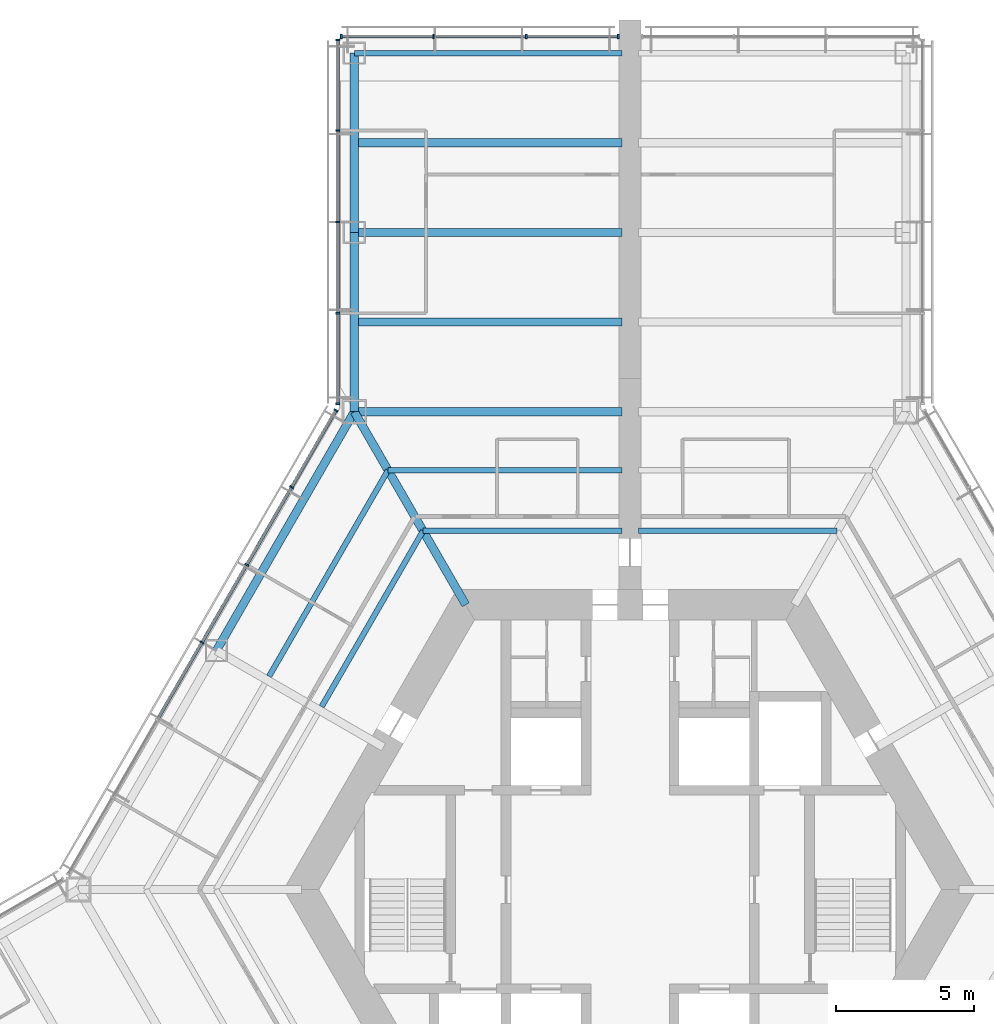
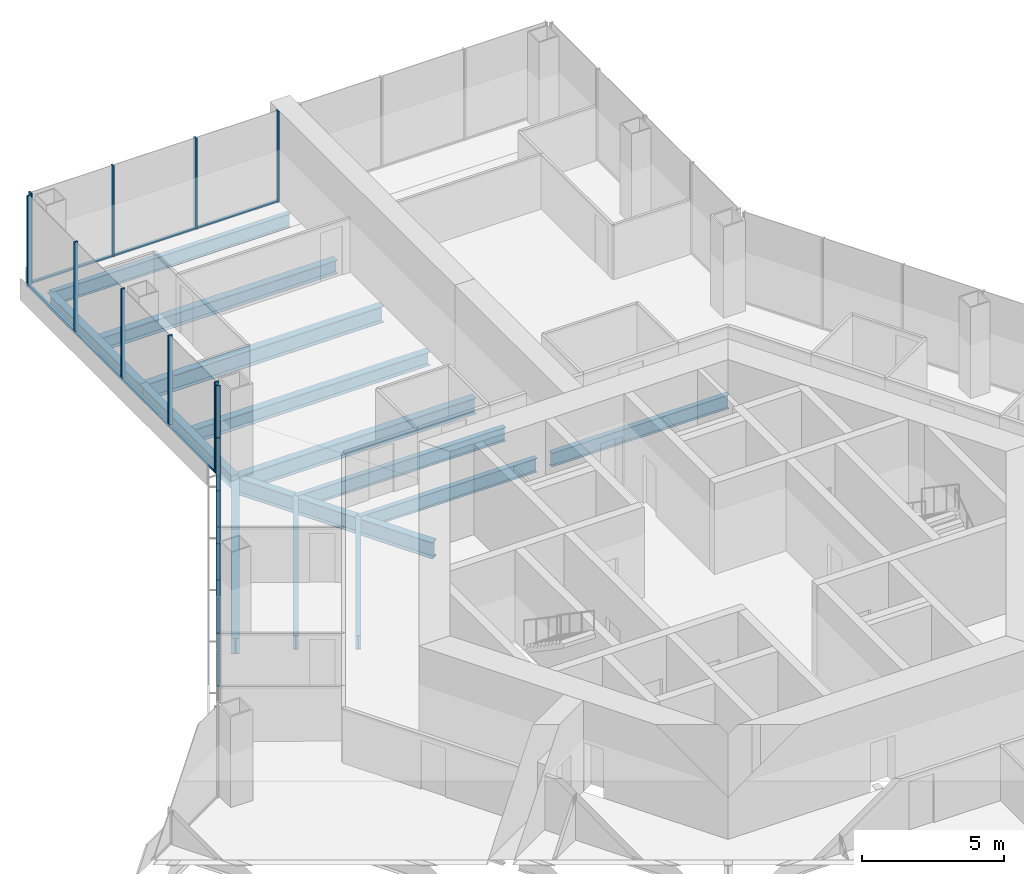
# One storey, part 7 of 18: 24 members, 14 beams, 3 elements without a shape of their own.
"""IFC4 building model written with IfcOpenShell, lengths in metres."""

from ifc_helpers import new_model, si_unit, direction, frame, origin, origin_2d, place, context, subcontext, project, spatial, rectangle, i_section, extrude, material, material_profile, profile_set, type_object, element, aggregate, save


model = new_model("IFC4")

# Units and contexts
model_context = context("Model", 3, precision=1e-05, world=origin(), true_north=direction((0.0, 1.0)))
body_context = subcontext(model_context, "Body", "Model", "MODEL_VIEW")
ifc_project = project(units=[si_unit("LENGTHUNIT", "METRE"), si_unit("AREAUNIT", "SQUARE_METRE"), si_unit("VOLUMEUNIT", "CUBIC_METRE"), si_unit("PLANEANGLEUNIT", "RADIAN"), si_unit("MASSUNIT", "GRAM", prefix="KILO")], contexts=[model_context])

# Site, building, storey
site_placement = place(None, origin())
site = spatial("IfcSite", under=ifc_project, at=site_placement, CompositionType="ELEMENT")
building_placement = place(site_placement, origin())
building = spatial("IfcBuilding", under=site, at=building_placement, Name="Kasaneha Research Tower", CompositionType="ELEMENT")
storey_placement = place(building_placement, frame((0.0, 0.0, 119.699951171875)))
storey = spatial("IfcBuildingStorey", under=building, at=storey_placement, Name="L30", CompositionType="ELEMENT", Elevation=119.699951171875)

# Beams
ifc_material_1 = material(Name="Steel SN490B", Category="steel")
ifc_material_profile_1 = material_profile(ifc_material_1, i_section(OverallWidth=0.199951171875, OverallDepth=0.60009765625, WebThickness=0.010986328125, FlangeThickness=0.01708984375, FilletRadius=0.012939453125, at=origin_2d()), Name="H-600x200x11x17")
ifc_profile_set_1 = profile_set([ifc_material_profile_1], Name="Steel SN490B")
beam_type_1 = type_object("IfcBeamType", Name="B1-3 secondary beam H-600x200x11x17", PredefinedType="JOIST", material=ifc_profile_set_1)
for number, where, z_axis, x_axis, name in (
    (1, (7.505615234375, 13.0, -0.449951171875), (-1.0, 0.0, 0.0), (0.0, -1.0, 0.0), "Secondary beam RS090L1 L30"),
    (2, (-7.505615234375, 13.0, -0.449951171875), (1.0, 0.0, 0.0), (0.0, 1.0, 0.0), "Secondary beam RS090R1 L30"),
):
    element("IfcBeam", number, at=place(storey_placement, frame(where, z_axis=z_axis, x_axis=x_axis)), inside=storey, type_object=beam_type_1, Name=name, PredefinedType="JOIST", context=body_context, shape_type="SweptSolid", body=[
        extrude(i_section(OverallWidth=0.199951171875, OverallDepth=0.60009765625, WebThickness=0.010986328125, FlangeThickness=0.01708984375, FilletRadius=0.012939453125, at=origin_2d()), origin(), (0.0, 0.0, 1.0), 7.20556640625),
    ])
beam_1_placement = place(storey_placement, frame((-8.775634765625, 15.199951171875, -0.449951171875), z_axis=(1.0, 0.0, 0.0), x_axis=(0.0, 1.0, 0.0)))
element("IfcBeam", 3, at=beam_1_placement, inside=storey, type_object=beam_type_1, Name="Secondary beam RS090R2 L30", PredefinedType="JOIST", context=body_context, shape_type="SweptSolid", body=[
    extrude(i_section(OverallWidth=0.199951171875, OverallDepth=0.60009765625, WebThickness=0.010986328125, FlangeThickness=0.01708984375, FilletRadius=0.012939453125, at=origin_2d()), origin(), (0.0, 0.0, 1.0), 8.4755859375),
])
beam_2_placement = place(storey_placement, frame((-7.505615234375, 13.0, -0.449951171875), z_axis=(-0.499994443168, -0.866028611999, 0.0), x_axis=(0.866028611999, -0.499994443168, 0.0)))
element("IfcBeam", 4, at=beam_2_placement, inside=storey, type_object=beam_type_1, Name="Secondary beam RS150L1 L30", PredefinedType="JOIST", context=body_context, shape_type="SweptSolid", body=[
    extrude(i_section(OverallWidth=0.199951171875, OverallDepth=0.60009765625, WebThickness=0.010986328125, FlangeThickness=0.01708984375, FilletRadius=0.012939453125, at=origin_2d()), origin(), (0.0, 0.0, 1.0), 7.35546875),
])
beam_3_placement = place(storey_placement, frame((-8.775634765625, 15.199951171875, -0.449951171875), z_axis=(-0.500017275495, -0.866015429543, 0.0), x_axis=(0.866015429543, -0.500017275495, 0.0)))
element("IfcBeam", 5, at=beam_3_placement, inside=storey, type_object=beam_type_1, Name="Secondary beam RS150L2 L30", PredefinedType="JOIST", context=body_context, shape_type="SweptSolid", body=[
    extrude(i_section(OverallWidth=0.199951171875, OverallDepth=0.60009765625, WebThickness=0.010986328125, FlangeThickness=0.01708984375, FilletRadius=0.012939453125, at=origin_2d()), origin(), (0.0, 0.0, 1.0), 8.625732421875),
])
ifc_material_2 = material(Name="Steel SN490B", Category="steel")
ifc_material_profile_2 = material_profile(ifc_material_2, i_section(OverallWidth=0.300048828125, OverallDepth=0.58203125, WebThickness=0.011962890625, FlangeThickness=0.01708984375, FilletRadius=0.012939453125, at=origin_2d()), Name="H-582x300x12x17")
ifc_profile_set_2 = profile_set([ifc_material_profile_2], Name="Steel SN490B")
beam_type_2 = type_object("IfcBeamType", Name="B2-3 secondary beam H-582x300x12x17", PredefinedType="JOIST", material=ifc_profile_set_2)
for number, where, z_axis, x_axis, name in (
    (6, (-10.0, 20.570556640625, -0.44091796875), (1.0, 0.0, 0.0), (0.0, 1.0, 0.0), "Secondary beam WBAN1 L30"),
    (7, (-10.0, 27.070556640625, -0.44091796875), (1.0, 0.0, 0.0), (0.0, 1.0, 0.0), "Secondary beam WBAN2 L30"),
):
    element("IfcBeam", number, at=place(storey_placement, frame(where, z_axis=z_axis, x_axis=x_axis)), inside=storey, type_object=beam_type_2, Name=name, PredefinedType="JOIST", context=body_context, shape_type="SweptSolid", body=[
        extrude(i_section(OverallWidth=0.300048828125, OverallDepth=0.58203125, WebThickness=0.011962890625, FlangeThickness=0.01708984375, FilletRadius=0.012939453125, at=origin_2d()), origin(), (0.0, 0.0, 1.0), 9.699951171875),
    ])

# Curtain wall, members
ifc_material_3 = material(Name="Glass and aluminium", Category="aluminium")
curtain_wall_type = type_object("IfcCurtainWallType", Name="Low-rise office curtain wall", PredefinedType="USERDEFINED", material=ifc_material_3)
curtain_wall_1_placement = place(storey_placement, origin())
curtain_wall_1 = element("IfcCurtainWall", 8, at=curtain_wall_1_placement, inside=storey, type_object=curtain_wall_type, Name="CW-O1 L30 run 10a", ObjectType="UNITISED CURTAIN WALL", PredefinedType="USERDEFINED")
ifc_material_4 = material(Name="Aluminium 6063-T6", Category="aluminium")
ifc_material_profile_3 = material_profile(ifc_material_4, rectangle(XDim=0.06005859375, YDim=0.159912109375, at=origin_2d()), Name="CW-O1 mullion 60x160")
ifc_profile_set_3 = profile_set([ifc_material_profile_3], Name="Aluminium 6063-T6")
member_type_1 = type_object("IfcMemberType", Name="CW-O1 mullion", PredefinedType="MULLION", material=ifc_profile_set_3)
member_1_placement = place(storey_placement, frame((-0.429931640625, 30.92041015625, 0.0), z_axis=(0.0, 0.0, 1.0), x_axis=(-1.0, 0.0, 0.0)))
member_1 = element("IfcMember", 9, at=member_1_placement, type_object=member_type_1, Name="CW-O1 mullion 1", PredefinedType="MULLION", context=body_context, shape_type="SweptSolid", body=[
    extrude(rectangle(XDim=0.06005859375, YDim=0.159912109375, at=origin_2d()), origin(), (0.0, 0.0, 1.0), 3.900146484375),
])
member_2_placement = place(storey_placement, frame((-3.7666015625, 30.92041015625, 0.0), z_axis=(0.0, 0.0, 1.0), x_axis=(-1.0, 0.0, 0.0)))
member_2 = element("IfcMember", 10, at=member_2_placement, type_object=member_type_1, Name="CW-O1 mullion 2", PredefinedType="MULLION", context=body_context, shape_type="SweptSolid", body=[
    extrude(rectangle(XDim=0.06005859375, YDim=0.159912109375, at=origin_2d()), origin(), (0.0, 0.0, 1.0), 3.900146484375),
])
member_3_placement = place(storey_placement, frame((-7.13330078125, 30.92041015625, 0.0), z_axis=(0.0, 0.0, 1.0), x_axis=(-1.0, 0.0, 0.0)))
member_3 = element("IfcMember", 11, at=member_3_placement, type_object=member_type_1, Name="CW-O1 mullion 3", PredefinedType="MULLION", context=body_context, shape_type="SweptSolid", body=[
    extrude(rectangle(XDim=0.06005859375, YDim=0.159912109375, at=origin_2d()), origin(), (0.0, 0.0, 1.0), 3.900146484375),
])
member_4_placement = place(storey_placement, frame((-10.469970703125, 30.92041015625, 0.0), z_axis=(0.0, 0.0, 1.0), x_axis=(-1.0, 0.0, 0.0)))
member_4 = element("IfcMember", 12, at=member_4_placement, type_object=member_type_1, Name="CW-O1 mullion 4", PredefinedType="MULLION", context=body_context, shape_type="SweptSolid", body=[
    extrude(rectangle(XDim=0.06005859375, YDim=0.159912109375, at=origin_2d()), origin(), (0.0, 0.0, 1.0), 3.900146484375),
])

curtain_wall_2_placement = place(storey_placement, origin())
curtain_wall_2 = element("IfcCurtainWall", 13, at=curtain_wall_2_placement, inside=storey, type_object=curtain_wall_type, Name="CW-O1 L30 run 11a", ObjectType="UNITISED CURTAIN WALL", PredefinedType="USERDEFINED")
member_5_placement = place(storey_placement, frame((-10.60009765625, 30.79052734375, 0.0), z_axis=(0.0, 0.0, 1.0), x_axis=(0.0, -1.0, 0.0)))
member_5 = element("IfcMember", 14, at=member_5_placement, type_object=member_type_1, Name="CW-O1 mullion 1", PredefinedType="MULLION", context=body_context, shape_type="SweptSolid", body=[
    extrude(rectangle(XDim=0.06005859375, YDim=0.159912109375, at=origin_2d()), origin(), (0.0, 0.0, 1.0), 3.900146484375),
])
member_6_placement = place(storey_placement, frame((-10.60009765625, 27.5107421875, 0.0), z_axis=(0.0, 0.0, 1.0), x_axis=(0.0, -1.0, 0.0)))
member_6 = element("IfcMember", 15, at=member_6_placement, type_object=member_type_1, Name="CW-O1 mullion 2", PredefinedType="MULLION", context=body_context, shape_type="SweptSolid", body=[
    extrude(rectangle(XDim=0.06005859375, YDim=0.159912109375, at=origin_2d()), origin(), (0.0, 0.0, 1.0), 3.900146484375),
])
member_7_placement = place(storey_placement, frame((-10.60009765625, 24.200927734375, 0.0), z_axis=(0.0, 0.0, 1.0), x_axis=(0.0, -1.0, 0.0)))
member_7 = element("IfcMember", 16, at=member_7_placement, type_object=member_type_1, Name="CW-O1 mullion 3", PredefinedType="MULLION", context=body_context, shape_type="SweptSolid", body=[
    extrude(rectangle(XDim=0.06005859375, YDim=0.159912109375, at=origin_2d()), origin(), (0.0, 0.0, 1.0), 3.900146484375),
])
member_8_placement = place(storey_placement, frame((-10.60009765625, 20.89111328125, 0.0), z_axis=(0.0, 0.0, 1.0), x_axis=(0.0, -1.0, 0.0)))
member_8 = element("IfcMember", 17, at=member_8_placement, type_object=member_type_1, Name="CW-O1 mullion 4", PredefinedType="MULLION", context=body_context, shape_type="SweptSolid", body=[
    extrude(rectangle(XDim=0.06005859375, YDim=0.159912109375, at=origin_2d()), origin(), (0.0, 0.0, 1.0), 3.900146484375),
])
member_9_placement = place(storey_placement, frame((-10.60009765625, 17.611328125, 0.0), z_axis=(0.0, 0.0, 1.0), x_axis=(0.0, -1.0, 0.0)))
member_9 = element("IfcMember", 18, at=member_9_placement, type_object=member_type_1, Name="CW-O1 mullion 5", PredefinedType="MULLION", context=body_context, shape_type="SweptSolid", body=[
    extrude(rectangle(XDim=0.06005859375, YDim=0.159912109375, at=origin_2d()), origin(), (0.0, 0.0, 1.0), 3.900146484375),
])

curtain_wall_3_placement = place(storey_placement, origin())
curtain_wall_3 = element("IfcCurtainWall", 19, at=curtain_wall_3_placement, inside=storey, type_object=curtain_wall_type, Name="CW-O1 L30 run 12a", ObjectType="UNITISED CURTAIN WALL", PredefinedType="USERDEFINED")
member_10_placement = place(storey_placement, frame((-10.6650390625, 17.36865234375, 0.0), z_axis=(0.0, 0.0, 1.0), x_axis=(-0.49999996188, -0.866025425793, 0.0)))
member_10 = element("IfcMember", 20, at=member_10_placement, type_object=member_type_1, Name="CW-O1 mullion 1", PredefinedType="MULLION", context=body_context, shape_type="SweptSolid", body=[
    extrude(rectangle(XDim=0.06005859375, YDim=0.159912109375, at=origin_2d()), origin(), (0.0, 0.0, 1.0), 3.900146484375),
])
member_11_placement = place(storey_placement, frame((-12.273193359375, 14.583251953125, 0.0), z_axis=(0.0, 0.0, 1.0), x_axis=(-0.49999996188, -0.866025425793, 0.0)))
member_11 = element("IfcMember", 21, at=member_11_placement, type_object=member_type_1, Name="CW-O1 mullion 2", PredefinedType="MULLION", context=body_context, shape_type="SweptSolid", body=[
    extrude(rectangle(XDim=0.06005859375, YDim=0.159912109375, at=origin_2d()), origin(), (0.0, 0.0, 1.0), 3.900146484375),
])
member_12_placement = place(storey_placement, frame((-13.896484375, 11.771728515625, 0.0), z_axis=(0.0, 0.0, 1.0), x_axis=(-0.49999996188, -0.866025425793, 0.0)))
member_12 = element("IfcMember", 22, at=member_12_placement, type_object=member_type_1, Name="CW-O1 mullion 3", PredefinedType="MULLION", context=body_context, shape_type="SweptSolid", body=[
    extrude(rectangle(XDim=0.06005859375, YDim=0.159912109375, at=origin_2d()), origin(), (0.0, 0.0, 1.0), 3.900146484375),
])
member_13_placement = place(storey_placement, frame((-15.51953125, 8.960205078125, 0.0), z_axis=(0.0, 0.0, 1.0), x_axis=(-0.49999996188, -0.866025425793, 0.0)))
member_13 = element("IfcMember", 23, at=member_13_placement, type_object=member_type_1, Name="CW-O1 mullion 4", PredefinedType="MULLION", context=body_context, shape_type="SweptSolid", body=[
    extrude(rectangle(XDim=0.06005859375, YDim=0.159912109375, at=origin_2d()), origin(), (0.0, 0.0, 1.0), 3.900146484375),
])

# Member
ifc_material_5 = material(Name="Aluminium 6063-T6", Category="aluminium")
ifc_material_profile_4 = material_profile(ifc_material_5, rectangle(XDim=0.1201171875, YDim=0.06005859375, at=origin_2d()), Name="CW-O1 transom 120x60")
ifc_profile_set_4 = profile_set([ifc_material_profile_4], Name="Aluminium 6063-T6")
member_type_2 = type_object("IfcMemberType", Name="CW-O1 transom", PredefinedType="USERDEFINED", material=ifc_profile_set_4)
member_14_placement = place(storey_placement, frame((-0.4599609375, 30.92041015625, 0.030029296875), z_axis=(-1.0, 0.0, 0.0), x_axis=(0.0, -1.0, 0.0)))
member_14 = element("IfcMember", 24, at=member_14_placement, type_object=member_type_2, Name="CW-O1 transom 1", ObjectType="TRANSOM", PredefinedType="USERDEFINED", context=body_context, shape_type="SweptSolid", body=[
    extrude(rectangle(XDim=0.1201171875, YDim=0.06005859375, at=origin_2d()), origin(), (0.0, 0.0, 1.0), 3.276611328125),
])

member_15_placement = place(storey_placement, frame((-3.796630859375, 30.92041015625, 0.030029296875), z_axis=(-1.0, 0.0, 0.0), x_axis=(0.0, -1.0, 0.0)))
member_15 = element("IfcMember", 25, at=member_15_placement, type_object=member_type_2, Name="CW-O1 transom 2", ObjectType="TRANSOM", PredefinedType="USERDEFINED", context=body_context, shape_type="SweptSolid", body=[
    extrude(rectangle(XDim=0.1201171875, YDim=0.06005859375, at=origin_2d()), origin(), (0.0, 0.0, 1.0), 3.306640625),
])

member_16_placement = place(storey_placement, frame((-7.163330078125, 30.92041015625, 0.030029296875), z_axis=(-1.0, 0.0, 0.0), x_axis=(0.0, -1.0, 0.0)))
member_16 = element("IfcMember", 26, at=member_16_placement, type_object=member_type_2, Name="CW-O1 transom 3", ObjectType="TRANSOM", PredefinedType="USERDEFINED", context=body_context, shape_type="SweptSolid", body=[
    extrude(rectangle(XDim=0.1201171875, YDim=0.06005859375, at=origin_2d()), origin(), (0.0, 0.0, 1.0), 3.276611328125),
])

aggregate(curtain_wall_1, [member_1, member_2, member_3, member_4, member_14, member_15, member_16])

member_17_placement = place(storey_placement, frame((-10.60009765625, 30.760498046875, 0.030029296875), z_axis=(0.0, -1.0, 0.0), x_axis=(1.0, 0.0, 0.0)))
member_17 = element("IfcMember", 27, at=member_17_placement, type_object=member_type_2, Name="CW-O1 transom 1", ObjectType="TRANSOM", PredefinedType="USERDEFINED", context=body_context, shape_type="SweptSolid", body=[
    extrude(rectangle(XDim=0.1201171875, YDim=0.06005859375, at=origin_2d()), origin(), (0.0, 0.0, 1.0), 3.2197265625),
])

member_18_placement = place(storey_placement, frame((-10.60009765625, 27.480712890625, 0.030029296875), z_axis=(0.0, -1.0, 0.0), x_axis=(1.0, 0.0, 0.0)))
member_18 = element("IfcMember", 28, at=member_18_placement, type_object=member_type_2, Name="CW-O1 transom 2", ObjectType="TRANSOM", PredefinedType="USERDEFINED", context=body_context, shape_type="SweptSolid", body=[
    extrude(rectangle(XDim=0.1201171875, YDim=0.06005859375, at=origin_2d()), origin(), (0.0, 0.0, 1.0), 3.249755859375),
])

member_19_placement = place(storey_placement, frame((-10.60009765625, 24.1708984375, 0.030029296875), z_axis=(0.0, -1.0, 0.0), x_axis=(1.0, 0.0, 0.0)))
member_19 = element("IfcMember", 29, at=member_19_placement, type_object=member_type_2, Name="CW-O1 transom 3", ObjectType="TRANSOM", PredefinedType="USERDEFINED", context=body_context, shape_type="SweptSolid", body=[
    extrude(rectangle(XDim=0.1201171875, YDim=0.06005859375, at=origin_2d()), origin(), (0.0, 0.0, 1.0), 3.249755859375),
])

member_20_placement = place(storey_placement, frame((-10.60009765625, 20.861083984375, 0.030029296875), z_axis=(0.0, -1.0, 0.0), x_axis=(1.0, 0.0, 0.0)))
member_20 = element("IfcMember", 30, at=member_20_placement, type_object=member_type_2, Name="CW-O1 transom 4", ObjectType="TRANSOM", PredefinedType="USERDEFINED", context=body_context, shape_type="SweptSolid", body=[
    extrude(rectangle(XDim=0.1201171875, YDim=0.06005859375, at=origin_2d()), origin(), (0.0, 0.0, 1.0), 3.2197265625),
])

aggregate(curtain_wall_2, [member_5, member_6, member_7, member_8, member_9, member_17, member_18, member_19, member_20])

member_21_placement = place(storey_placement, frame((-10.679931640625, 17.3427734375, 0.030029296875), z_axis=(-0.500023726918, -0.866011704609, 0.0), x_axis=(0.866011704609, -0.500023726918, 0.0)))
member_21 = element("IfcMember", 31, at=member_21_placement, type_object=member_type_2, Name="CW-O1 transom 1", ObjectType="TRANSOM", PredefinedType="USERDEFINED", context=body_context, shape_type="SweptSolid", body=[
    extrude(rectangle(XDim=0.1201171875, YDim=0.06005859375, at=origin_2d()), origin(), (0.0, 0.0, 1.0), 3.156494140625),
])

member_22_placement = place(storey_placement, frame((-12.2880859375, 14.55712890625, 0.030029296875), z_axis=(-0.500012062035, -0.866018439653, 0.0), x_axis=(0.866018439653, -0.500012062035, 0.0)))
member_22 = element("IfcMember", 32, at=member_22_placement, type_object=member_type_2, Name="CW-O1 transom 2", ObjectType="TRANSOM", PredefinedType="USERDEFINED", context=body_context, shape_type="SweptSolid", body=[
    extrude(rectangle(XDim=0.1201171875, YDim=0.06005859375, at=origin_2d()), origin(), (0.0, 0.0, 1.0), 3.1865234375),
])

member_23_placement = place(storey_placement, frame((-13.911376953125, 11.745849609375, 0.030029296875), z_axis=(-0.500012062035, -0.866018439653, 0.0), x_axis=(0.866018439653, -0.500012062035, 0.0)))
member_23 = element("IfcMember", 33, at=member_23_placement, type_object=member_type_2, Name="CW-O1 transom 3", ObjectType="TRANSOM", PredefinedType="USERDEFINED", context=body_context, shape_type="SweptSolid", body=[
    extrude(rectangle(XDim=0.1201171875, YDim=0.06005859375, at=origin_2d()), origin(), (0.0, 0.0, 1.0), 3.1865234375),
])

member_24_placement = place(storey_placement, frame((-15.53466796875, 8.934326171875, 0.030029296875), z_axis=(-0.500012062035, -0.866018439653, 0.0), x_axis=(0.866018439653, -0.500012062035, 0.0)))
member_24 = element("IfcMember", 34, at=member_24_placement, type_object=member_type_2, Name="CW-O1 transom 4", ObjectType="TRANSOM", PredefinedType="USERDEFINED", context=body_context, shape_type="SweptSolid", body=[
    extrude(rectangle(XDim=0.1201171875, YDim=0.06005859375, at=origin_2d()), origin(), (0.0, 0.0, 1.0), 3.1865234375),
])

aggregate(curtain_wall_3, [member_10, member_11, member_12, member_13, member_21, member_22, member_23, member_24])

# Beams
ifc_material_6 = material(Name="Steel SN490B", Category="steel")
ifc_material_profile_5 = material_profile(ifc_material_6, i_section(OverallWidth=0.300048828125, OverallDepth=0.699951171875, WebThickness=0.012939453125, FlangeThickness=0.02392578125, FilletRadius=0.01806640625, at=origin_2d()), Name="H-700x300x13x24")
ifc_profile_set_5 = profile_set([ifc_material_profile_5], Name="Steel SN490B")
beam_type_3 = type_object("IfcBeamType", Name="G1-3 radial girder H-700x300x13x24", PredefinedType="BEAM", material=ifc_profile_set_5)
beam_4_placement = place(storey_placement, frame((-5.961181640625, 10.324951171875, -0.5), z_axis=(-0.49999105496, 0.866030568144, 0.0), x_axis=(-0.866030568144, -0.49999105496, 0.0)))
element("IfcBeam", 35, at=beam_4_placement, inside=storey, type_object=beam_type_3, Name="Radial girder RV120 L30", PredefinedType="BEAM", context=body_context, shape_type="SweptSolid", body=[
    extrude(i_section(OverallWidth=0.300048828125, OverallDepth=0.699951171875, WebThickness=0.012939453125, FlangeThickness=0.02392578125, FilletRadius=0.01806640625, at=origin_2d()), origin(), (0.0, 0.0, 1.0), 8.077880859375),
])
ifc_material_7 = material(Name="Steel SN490B", Category="steel")
ifc_material_profile_6 = material_profile(ifc_material_7, i_section(OverallWidth=0.300048828125, OverallDepth=0.69189453125, WebThickness=0.012939453125, FlangeThickness=0.02001953125, FilletRadius=0.01806640625, at=origin_2d()), Name="H-692x300x13x20")
ifc_profile_set_6 = profile_set([ifc_material_profile_6], Name="Steel SN490B")
beam_type_4 = type_object("IfcBeamType", Name="G3-3 plate edge girder H-692x300x13x20", PredefinedType="BEAM", material=ifc_profile_set_6)
beam_5_placement = place(storey_placement, frame((-10.0, 17.320556640625, -0.495849609375), z_axis=(1.0, 0.0, 0.0), x_axis=(0.0, 1.0, 0.0)))
element("IfcBeam", 36, at=beam_5_placement, inside=storey, type_object=beam_type_4, Name="Plate edge girder PEAN L30", PredefinedType="BEAM", context=body_context, shape_type="SweptSolid", body=[
    extrude(i_section(OverallWidth=0.300048828125, OverallDepth=0.69189453125, WebThickness=0.012939453125, FlangeThickness=0.02001953125, FilletRadius=0.01806640625, at=origin_2d()), origin(), (0.0, 0.0, 1.0), 9.699951171875),
])
ifc_material_8 = material(Name="Steel SN490B", Category="steel")
ifc_material_profile_7 = material_profile(ifc_material_8, i_section(OverallWidth=0.300048828125, OverallDepth=0.699951171875, WebThickness=0.012939453125, FlangeThickness=0.02392578125, FilletRadius=0.01806640625, at=origin_2d()), Name="H-700x300x13x24")
ifc_profile_set_7 = profile_set([ifc_material_profile_7], Name="Steel SN490B")
beam_type_5 = type_object("IfcBeamType", Name="G4-3 wing girder H-700x300x13x24", PredefinedType="BEAM", material=ifc_profile_set_7)
beam_6_placement = place(storey_placement, frame((-10.0, 23.820556640625, -0.5), z_axis=(1.0, 0.0, 0.0), x_axis=(0.0, 1.0, 0.0)))
element("IfcBeam", 37, at=beam_6_placement, inside=storey, type_object=beam_type_5, Name="Wing girder WGAN L30", PredefinedType="BEAM", context=body_context, shape_type="SweptSolid", body=[
    extrude(i_section(OverallWidth=0.300048828125, OverallDepth=0.699951171875, WebThickness=0.012939453125, FlangeThickness=0.02392578125, FilletRadius=0.01806640625, at=origin_2d()), origin(), (0.0, 0.0, 1.0), 9.699951171875),
])
ifc_material_9 = material(Name="Steel SN490B", Category="steel")
ifc_material_profile_8 = material_profile(ifc_material_9, i_section(OverallWidth=0.300048828125, OverallDepth=0.69189453125, WebThickness=0.012939453125, FlangeThickness=0.02001953125, FilletRadius=0.01806640625, at=origin_2d()), Name="H-692x300x13x20")
ifc_profile_set_8 = profile_set([ifc_material_profile_8], Name="Steel SN490B")
beam_type_6 = type_object("IfcBeamType", Name="SB1-3 spandrel beam H-692x300x13x20", PredefinedType="SPANDREL", material=ifc_profile_set_8)
beam_7_placement = place(storey_placement, frame((-10.0, 17.320556640625, -0.495849609375), z_axis=(-0.499993662806, -0.866029062534, 0.0), x_axis=(0.866029062534, -0.499993662806, 0.0)))
element("IfcBeam", 38, at=beam_7_placement, inside=storey, type_object=beam_type_6, Name="Spandrel beam SR150L L30", PredefinedType="SPANDREL", context=body_context, shape_type="SweptSolid", body=[
    extrude(i_section(OverallWidth=0.300048828125, OverallDepth=0.69189453125, WebThickness=0.012939453125, FlangeThickness=0.02001953125, FilletRadius=0.01806640625, at=origin_2d()), origin(), (0.0, 0.0, 1.0), 10.000244140625),
])
ifc_material_10 = material(Name="Steel SN490B", Category="steel")
ifc_material_profile_9 = material_profile(ifc_material_10, i_section(OverallWidth=0.300048828125, OverallDepth=0.58203125, WebThickness=0.011962890625, FlangeThickness=0.01708984375, FilletRadius=0.012939453125, at=origin_2d()), Name="H-582x300x12x17")
ifc_profile_set_9 = profile_set([ifc_material_profile_9], Name="Steel SN490B")
beam_type_7 = type_object("IfcBeamType", Name="SB2-3 spandrel beam H-582x300x12x17", PredefinedType="SPANDREL", material=ifc_profile_set_9)
for number, where, z_axis, x_axis, name in (
    (39, (-10.0, 17.320556640625, -0.44091796875), (0.0, 1.0, 0.0), (-1.0, 0.0, 0.0), "Spandrel beam WSAN1 L30"),
    (40, (-10.0, 23.820556640625, -0.44091796875), (0.0, 1.0, 0.0), (-1.0, 0.0, 0.0), "Spandrel beam WSAN2 L30"),
):
    element("IfcBeam", number, at=place(storey_placement, frame(where, z_axis=z_axis, x_axis=x_axis)), inside=storey, type_object=beam_type_7, Name=name, PredefinedType="SPANDREL", context=body_context, shape_type="SweptSolid", body=[
        extrude(i_section(OverallWidth=0.300048828125, OverallDepth=0.58203125, WebThickness=0.011962890625, FlangeThickness=0.01708984375, FilletRadius=0.012939453125, at=origin_2d()), origin(), (0.0, 0.0, 1.0), 6.5),
    ])
ifc_material_11 = material(Name="Steel SN490B", Category="steel")
ifc_material_profile_10 = material_profile(ifc_material_11, i_section(OverallWidth=0.199951171875, OverallDepth=0.60009765625, WebThickness=0.010986328125, FlangeThickness=0.01708984375, FilletRadius=0.012939453125, at=origin_2d()), Name="H-600x200x11x17")
ifc_profile_set_10 = profile_set([ifc_material_profile_10], Name="Steel SN490B")
beam_type_8 = type_object("IfcBeamType", Name="SB3-3 spandrel beam H-600x200x11x17", PredefinedType="SPANDREL", material=ifc_profile_set_10)
beam_8_placement = place(storey_placement, frame((-10.0, 30.320556640625, -0.449951171875), z_axis=(1.0, 0.0, 0.0), x_axis=(0.0, 1.0, 0.0)))
element("IfcBeam", 41, at=beam_8_placement, inside=storey, type_object=beam_type_8, Name="Spandrel beam WTAN L30", PredefinedType="SPANDREL", context=body_context, shape_type="SweptSolid", body=[
    extrude(i_section(OverallWidth=0.199951171875, OverallDepth=0.60009765625, WebThickness=0.010986328125, FlangeThickness=0.01708984375, FilletRadius=0.012939453125, at=origin_2d()), origin(), (0.0, 0.0, 1.0), 9.699951171875),
])

save(model, "model.ifc")
